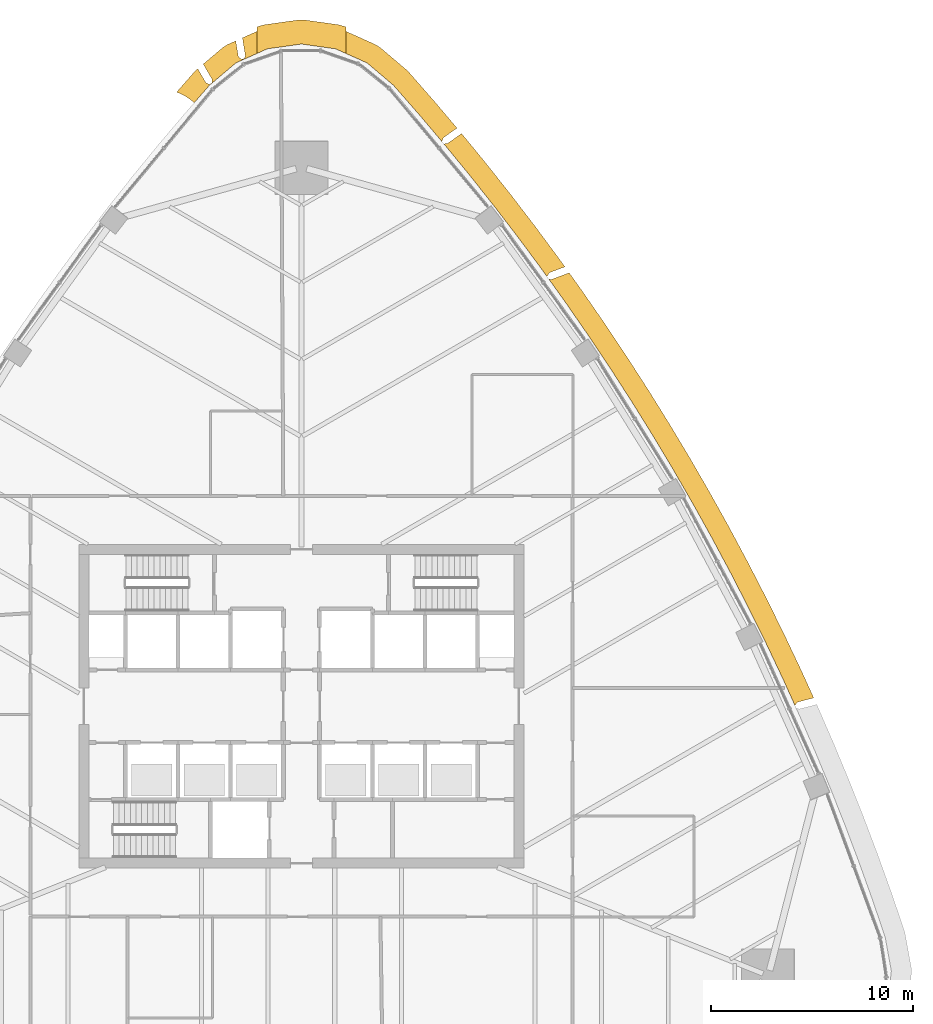
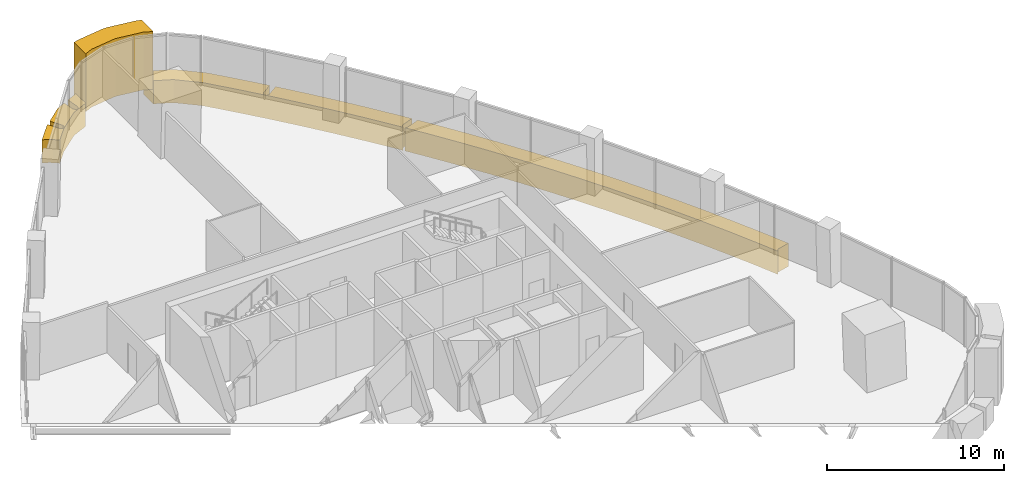
# One storey, part 15 of 16: 4 coverings.
"""IFC4 building model written with IfcOpenShell, lengths in metres."""

from ifc_helpers import new_model, si_unit, direction, frame, origin, place, context, subcontext, project, spatial, polyline, outline, extrude, material, layer, layer_set, type_object, element, save


model = new_model("IFC4")

# Units and contexts
model_context = context("Model", 3, precision=1e-05, world=origin(), true_north=direction((0.0, 1.0)))
body_context = subcontext(model_context, "Body", "Model", "MODEL_VIEW")
ifc_project = project(units=[si_unit("LENGTHUNIT", "METRE"), si_unit("AREAUNIT", "SQUARE_METRE"), si_unit("VOLUMEUNIT", "CUBIC_METRE"), si_unit("PLANEANGLEUNIT", "RADIAN"), si_unit("MASSUNIT", "GRAM", prefix="KILO")], contexts=[model_context])

# Site, building, storey
site_placement = place(None, origin())
site = spatial("IfcSite", under=ifc_project, at=site_placement, CompositionType="ELEMENT")
building_placement = place(site_placement, origin())
building = spatial("IfcBuilding", under=site, at=building_placement, Name="Sierra Prisma Convention Tower", CompositionType="ELEMENT")
storey_placement = place(building_placement, frame((0.0, 0.0, 197.800048828125)))
storey = spatial("IfcBuildingStorey", under=building, at=storey_placement, Name="L44", CompositionType="ELEMENT", Elevation=197.800048828125)

# Coverings
ifc_material_1 = material(Name="Aluminium composite bronze anodised", Category="aluminium")
ifc_layer_1 = layer(ifc_material_1, 1.199951171875)
ifc_layer_set_1 = layer_set([ifc_layer_1], Name="Bronze corner pier")
covering_type_1 = type_object("IfcCoveringType", Name="Bronze corner pier", PredefinedType="CLADDING", material=ifc_layer_set_1)
covering_1_placement = place(storey_placement, frame((0.0, 0.0, -0.60009765625)))
element("IfcCovering", 1, at=covering_1_placement, inside=storey, type_object=covering_type_1, Name="Corner pier N L44.1", PredefinedType="CLADDING", context=body_context, shape_type="SweptSolid", body=[
    extrude(outline(polyline([(0.168212890625, 33.91845703125), (1.857421875, 33.679443359375), (2.1806640625, 33.5859375), (2.199951171875, 33.577392578125), (2.199951171875, 32.261962890625), (1.689208984375, 32.4912109375), (0.0, 32.73046875), (-1.689208984375, 32.4912109375), (-2.199951171875, 32.261962890625), (-2.199951171875, 33.577392578125), (-2.1806640625, 33.5859375), (-1.857421875, 33.679443359375), (-0.168212890625, 33.91845703125), (0.168212890625, 33.91845703125)])), origin(), (0.0, 0.0, 1.0), 4.0),
])
ifc_material_2 = material(Name="Aluminium composite bronze anodised", Category="aluminium")
ifc_layer_2 = layer(ifc_material_2, 1.0)
ifc_layer_set_2 = layer_set([ifc_layer_2], Name="Bronze spandrel band")
covering_type_2 = type_object("IfcCoveringType", Name="Bronze spandrel band", PredefinedType="CLADDING", material=ifc_layer_set_2)
covering_2_placement = place(storey_placement, frame((0.0, 0.0, -1.60009765625)))
element("IfcCovering", 2, at=covering_2_placement, inside=storey, type_object=covering_type_2, Name="Spandrel band L44.2", PredefinedType="CLADDING", context=body_context, shape_type="SweptSolid", body=[
    extrude(outline(polyline([(-5.299560546875, 31.347900390625), (-5.193603515625, 31.4521484375), (-5.127685546875, 31.50830078125), (-4.728271484375, 30.824951171875), (-4.725830078125, 30.821044921875), (-4.722900390625, 30.8173828125), (-4.7197265625, 30.81396484375), (-4.71630859375, 30.810791015625), (-4.71240234375, 30.80810546875), (-4.70849609375, 30.805908203125), (-4.7041015625, 30.803955078125), (-4.556884765625, 30.7431640625), (-4.552001953125, 30.741455078125), (-4.54736328125, 30.740234375), (-4.54248046875, 30.739501953125), (-4.537353515625, 30.7392578125), (-4.532470703125, 30.739501953125), (-4.527587890625, 30.740478515625), (-4.522705078125, 30.74169921875), (-4.51806640625, 30.743408203125), (-4.513671875, 30.74560546875), (-4.509521484375, 30.748291015625), (-4.50537109375, 30.751220703125), (-4.42919921875, 30.81591796875), (-4.42529296875, 30.8193359375), (-4.422119140625, 30.8232421875), (-4.4189453125, 30.82763671875), (-4.41650390625, 30.83203125), (-4.41455078125, 30.8369140625), (-4.4130859375, 30.841796875), (-4.412109375, 30.846923828125), (-4.41162109375, 30.85205078125), (-4.41162109375, 30.857177734375), (-4.41943359375, 30.9794921875), (-4.419921875, 30.98388671875), (-4.4208984375, 30.988525390625), (-4.422119140625, 30.992919921875), (-4.424072265625, 30.997314453125), (-4.426025390625, 31.00146484375), (-4.8564453125, 31.738037109375), (-3.892333984375, 32.555419921875), (-3.6552734375, 32.704833984375), (-3.247802734375, 32.8876953125), (-3.124755859375, 32.126220703125), (-3.123779296875, 32.121337890625), (-3.122314453125, 32.11669921875), (-3.1201171875, 32.112060546875), (-3.117919921875, 32.107666015625), (-3.114990234375, 32.103759765625), (-3.11181640625, 32.099853515625), (-3.108154296875, 32.096435546875), (-2.981201171875, 31.986328125), (-2.9775390625, 31.9833984375), (-2.973388671875, 31.98095703125), (-2.96923828125, 31.978759765625), (-2.96484375, 31.97705078125), (-2.96044921875, 31.9755859375), (-2.955810546875, 31.974609375), (-2.950927734375, 31.974365234375), (-2.9462890625, 31.974365234375), (-2.941650390625, 31.974609375), (-2.93701171875, 31.9755859375), (-2.932373046875, 31.976806640625), (-2.927978515625, 31.978515625), (-2.8369140625, 32.01953125), (-2.83251953125, 32.021728515625), (-2.828125, 32.0244140625), (-2.82421875, 32.027587890625), (-2.82080078125, 32.031005859375), (-2.8173828125, 32.034912109375), (-2.814697265625, 32.038818359375), (-2.812255859375, 32.043212890625), (-2.810302734375, 32.047607421875), (-2.808837890625, 32.052490234375), (-2.7802734375, 32.161376953125), (-2.779296875, 32.16650390625), (-2.77880859375, 32.171630859375), (-2.77880859375, 32.177001953125), (-2.779296875, 32.18212890625), (-2.917236328125, 33.0361328125), (-2.2099609375, 33.353515625), (-2.2099609375, 32.257568359375), (-3.24560546875, 31.79248046875), (-4.547119140625, 30.689453125), (-5.301513671875, 29.827392578125), (-5.41357421875, 29.92041015625), (-5.610107421875, 30.068115234375), (-5.820068359375, 30.196044921875), (-6.04150390625, 30.302978515625), (-6.172119140625, 30.350830078125), (-5.299560546875, 31.347900390625)])), origin(), (0.0, 0.0, 1.0), 1.60009765625),
])
covering_3_placement = place(storey_placement, frame((0.0, 0.0, -1.60009765625)))
element("IfcCovering", 3, at=covering_3_placement, inside=storey, type_object=covering_type_2, Name="Spandrel band L44.3", PredefinedType="CLADDING", context=body_context, shape_type="SweptSolid", body=[
    extrude(outline(polyline([(5.193603515625, 31.4521484375), (5.299560546875, 31.347900390625), (6.5888671875, 29.87451171875), (6.599609375, 29.8623046875), (7.6884765625, 28.576171875), (7.0244140625, 28.106689453125), (7.0205078125, 28.103759765625), (7.0166015625, 28.10009765625), (7.013427734375, 28.096435546875), (7.010498046875, 28.09228515625), (7.00830078125, 28.087890625), (7.006103515625, 28.083251953125), (6.95458984375, 27.941650390625), (6.952880859375, 27.937255859375), (6.9521484375, 27.9326171875), (6.951416015625, 27.927734375), (6.951416015625, 27.9228515625), (6.951904296875, 27.918212890625), (6.95263671875, 27.91357421875), (6.9541015625, 27.90869140625), (6.955810546875, 27.904296875), (6.957763671875, 27.900146484375), (6.96044921875, 27.89599609375), (6.96337890625, 27.89208984375), (7.02783203125, 27.81591796875), (7.03125, 27.8125), (7.034912109375, 27.80908203125), (7.038818359375, 27.806396484375), (7.04296875, 27.803955078125), (7.04736328125, 27.8017578125), (7.052001953125, 27.80029296875), (7.056640625, 27.799072265625), (7.0615234375, 27.79833984375), (7.06640625, 27.798095703125), (7.0712890625, 27.798583984375), (7.20263671875, 27.81201171875), (7.207763671875, 27.81298828125), (7.212646484375, 27.814208984375), (7.21728515625, 27.81591796875), (7.221923828125, 27.818359375), (7.226318359375, 27.821044921875), (7.91455078125, 28.307373046875), (9.11572265625, 26.841064453125), (9.1259765625, 26.828369140625), (10.341796875, 25.2939453125), (10.351806640625, 25.281005859375), (11.54248046875, 23.72705078125), (11.55224609375, 23.714111328125), (12.717529296875, 22.140869140625), (12.72705078125, 22.127685546875), (13.021240234375, 21.716552734375), (12.25927734375, 21.430419921875), (12.254638671875, 21.42822265625), (12.250244140625, 21.42578125), (12.24609375, 21.423095703125), (12.242431640625, 21.419921875), (12.239013671875, 21.416259765625), (12.23583984375, 21.412353515625), (12.2333984375, 21.408203125), (12.150634765625, 21.261962890625), (12.1484375, 21.2578125), (12.146728515625, 21.25341796875), (12.1455078125, 21.248779296875), (12.14453125, 21.244140625), (12.14404296875, 21.239501953125), (12.14404296875, 21.234619140625), (12.14453125, 21.22998046875), (12.1455078125, 21.225341796875), (12.14697265625, 21.220703125), (12.147705078125, 21.218994140625), (11.913818359375, 21.545654296875), (10.74853515625, 23.118896484375), (9.557861328125, 24.6728515625), (8.342041015625, 26.20751953125), (7.1015625, 27.721923828125), (5.836181640625, 29.216064453125), (4.547119140625, 30.689453125), (3.24560546875, 31.79248046875), (2.2099609375, 32.257568359375), (2.2099609375, 33.353515625), (3.6552734375, 32.704833984375), (3.892333984375, 32.555419921875), (5.193603515625, 31.4521484375)])), origin(), (0.0, 0.0, 1.0), 1.60009765625),
])
covering_4_placement = place(storey_placement, frame((0.0, 0.0, -1.60009765625)))
element("IfcCovering", 4, at=covering_4_placement, inside=storey, type_object=covering_type_2, Name="Spandrel band L44.4", PredefinedType="CLADDING", context=body_context, shape_type="SweptSolid", body=[
    extrude(outline(polyline([(20.19921875, 10.53173828125), (20.207275390625, 10.517578125), (21.158447265625, 8.806396484375), (21.166259765625, 8.7919921875), (22.08935546875, 7.065673828125), (22.096923828125, 7.05126953125), (22.991943359375, 5.309814453125), (22.999267578125, 5.29541015625), (23.86572265625, 3.539794921875), (23.872802734375, 3.525146484375), (24.710693359375, 1.755615234375), (24.717529296875, 1.740966796875), (25.32177734375, 0.409423828125), (24.53369140625, 0.20703125), (24.529296875, 0.205810546875), (24.525146484375, 0.203857421875), (24.52099609375, 0.201904296875), (24.51708984375, 0.19921875), (24.513427734375, 0.1962890625), (24.510009765625, 0.193115234375), (24.507080078125, 0.189697265625), (24.408203125, 0.064453125), (24.4052734375, 0.060546875), (24.40283203125, 0.05615234375), (24.40087890625, 0.051513671875), (24.399169921875, 0.046875), (24.398193359375, 0.0419921875), (24.397705078125, 0.037109375), (24.3974609375, 0.031982421875), (24.397705078125, 0.027099609375), (24.398193359375, 0.024658203125), (23.806884765625, 1.327880859375), (22.968994140625, 3.09716796875), (22.1025390625, 4.852783203125), (21.20751953125, 6.593994140625), (20.284423828125, 8.320556640625), (19.333251953125, 10.03173828125), (18.354248046875, 11.727294921875), (17.347900390625, 13.406494140625), (16.314453125, 15.0693359375), (15.25390625, 16.715087890625), (14.166748046875, 18.34326171875), (13.053466796875, 19.95361328125), (12.219970703125, 21.117919921875), (12.221923828125, 21.1162109375), (12.22607421875, 21.11328125), (12.230224609375, 21.111083984375), (12.23486328125, 21.109130859375), (12.239501953125, 21.107666015625), (12.244384765625, 21.106689453125), (12.24951171875, 21.106201171875), (12.36181640625, 21.099609375), (12.366943359375, 21.099609375), (12.372314453125, 21.10009765625), (12.377197265625, 21.10107421875), (12.38232421875, 21.102783203125), (13.232177734375, 21.421875), (13.866455078125, 20.53564453125), (13.8759765625, 20.522216796875), (14.989501953125, 18.912109375), (14.99853515625, 18.8984375), (16.085693359375, 17.270263671875), (16.094482421875, 17.256591796875), (17.155029296875, 15.61083984375), (17.163818359375, 15.59716796875), (18.197265625, 13.934326171875), (18.205810546875, 13.920654296875), (19.212158203125, 12.2412109375), (19.22021484375, 12.227294921875), (20.19921875, 10.53173828125)])), origin(), (0.0, 0.0, 1.0), 1.60009765625),
])

save(model, "model.ifc")
